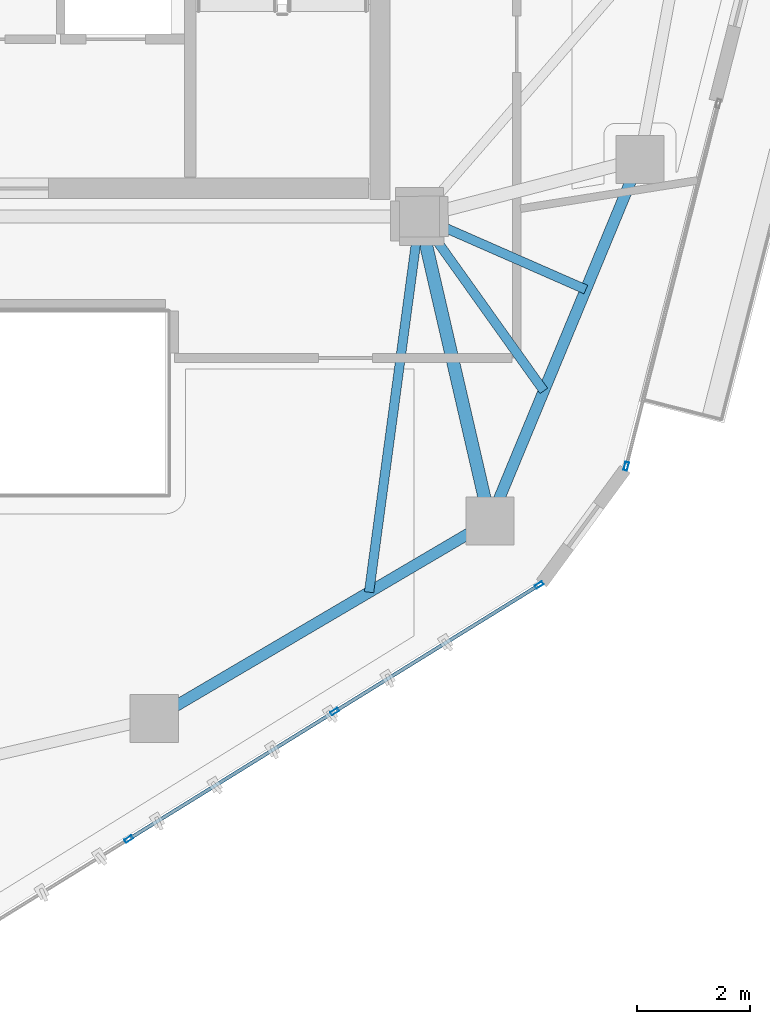
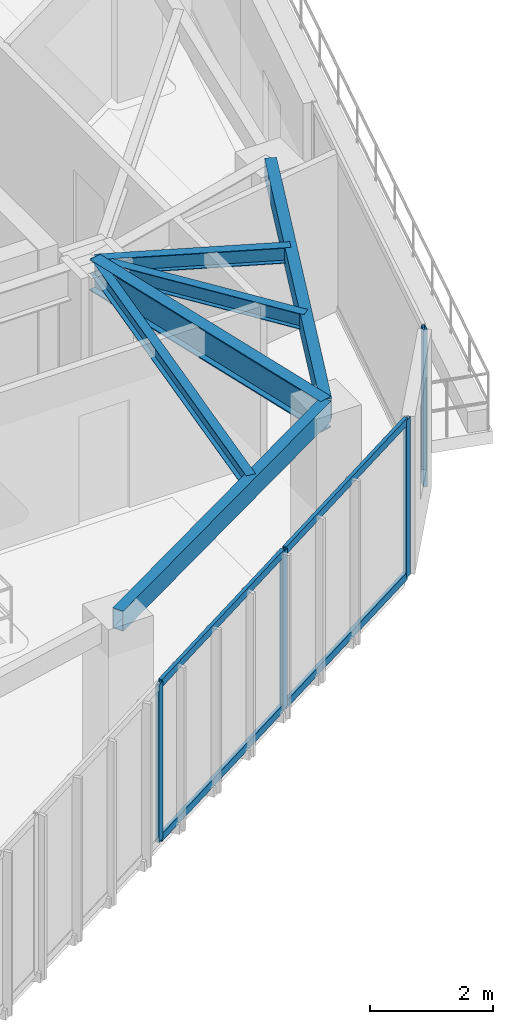
# One storey, part 6 of 20: 8 members, 6 beams, 2 elements without a shape of their own.
"""IFC4 building model written with IfcOpenShell, lengths in metres."""

from ifc_helpers import new_model, si_unit, direction, frame, origin, origin_2d, place, context, subcontext, project, spatial, hollow_rectangle, i_section, extrude, source, transform, mapped, material, layer, layer_set, material_profile, profile_set, type_object, type_shapes, element, aggregate, save


model = new_model("IFC4")

# Units and contexts
model_context = context("Model", 3, precision=1e-05, world=origin(), true_north=direction((0.0, 1.0)))
body_context = subcontext(model_context, "Body", "Model", "MODEL_VIEW")
ifc_project = project(units=[si_unit("LENGTHUNIT", "METRE"), si_unit("AREAUNIT", "SQUARE_METRE"), si_unit("VOLUMEUNIT", "CUBIC_METRE"), si_unit("PLANEANGLEUNIT", "RADIAN"), si_unit("MASSUNIT", "GRAM", prefix="KILO")], contexts=[model_context])

# Site, building, storey
site_placement = place(None, origin())
site = spatial("IfcSite", under=ifc_project, at=site_placement, CompositionType="ELEMENT")
building_placement = place(site_placement, origin())
building = spatial("IfcBuilding", under=site, at=building_placement, Name="Talar Marvaseh", CompositionType="ELEMENT")
storey_placement = place(building_placement, frame((0.0, 0.0, 251.0)))
storey = spatial("IfcBuildingStorey", under=building, at=storey_placement, Name="L66", CompositionType="ELEMENT", Elevation=251.0)

# Beams
ifc_material_1 = material(Name="Steel S355", Category="steel")
ifc_material_profile_1 = material_profile(ifc_material_1, hollow_rectangle(XDim=0.199951171875, YDim=0.39990234375, WallThickness=0.013916015625, at=origin_2d()), Name="RHS400x200x14")
ifc_profile_set_1 = profile_set([ifc_material_profile_1], Name="Steel S355")
beam_type_1 = type_object("IfcBeamType", Name="Zone 3 Perimeter Spandrel Beam RHS400x200x14", PredefinedType="SPANDREL", material=ifc_profile_set_1)
beam_1_placement = place(storey_placement, frame((37.197021484375, 26.513916015625, 2.93994140625), z_axis=(-0.382798740112, -0.923831762048, 0.0), x_axis=(0.923831762048, -0.382798740112, 0.0)))
element("IfcBeam", 1, at=beam_1_placement, inside=storey, type_object=beam_type_1, Name="L66 Zone 3 Perimeter Spandrel Beam RHS400x200x14", PredefinedType="SPANDREL", context=body_context, shape_type="SweptSolid", body=[
    extrude(hollow_rectangle(XDim=0.199951171875, YDim=0.39990234375, WallThickness=0.013916015625, at=origin_2d()), origin(), (0.0, 0.0, 1.0), 6.9306640625),
])
beam_2_placement = place(storey_placement, frame((34.5439453125, 20.111083984375, 2.93994140625), z_axis=(-0.861894136287, -0.507088254482, 0.0), x_axis=(0.507088254482, -0.861894136287, 0.0)))
element("IfcBeam", 2, at=beam_2_placement, inside=storey, type_object=beam_type_1, Name="L66 Zone 3 Perimeter Spandrel Beam RHS400x200x14", PredefinedType="SPANDREL", context=body_context, shape_type="SweptSolid", body=[
    extrude(hollow_rectangle(XDim=0.199951171875, YDim=0.39990234375, WallThickness=0.013916015625, at=origin_2d()), origin(), (0.0, 0.0, 1.0), 6.890625),
])
ifc_material_profile_2 = material_profile(ifc_material_1, i_section(OverallWidth=0.166015625, OverallDepth=0.31298828125, WebThickness=0.006591796875, FlangeThickness=0.01123046875, at=origin_2d()), Name="W310x45")
ifc_profile_set_2 = profile_set([ifc_material_profile_2], Name="Steel S355")
beam_type_2 = type_object("IfcBeamType", Name="Zone 3 Secondary Floor Joist W310x45", PredefinedType="JOIST", material=ifc_profile_set_2)
beam_3_placement = place(storey_placement, frame((36.241943359375, 24.208984375, 2.9833984375), z_axis=(-0.915706783714, 0.401847093135, 0.0), x_axis=(-0.401847093135, -0.915706783714, 0.0)))
element("IfcBeam", 3, at=beam_3_placement, inside=storey, type_object=beam_type_2, Name="L66 Zone 3 Secondary Floor Joist W310x45", PredefinedType="JOIST", context=body_context, shape_type="SweptSolid", body=[
    extrude(i_section(OverallWidth=0.166015625, OverallDepth=0.31298828125, WebThickness=0.006591796875, FlangeThickness=0.01123046875, at=origin_2d()), origin(), (0.0, 0.0, 1.0), 3.212646484375),
])
beam_4_placement = place(storey_placement, frame((35.4990234375, 22.416015625, 2.9833984375), z_axis=(-0.580561197682, 0.814216614757, 0.0), x_axis=(-0.814216614757, -0.580561197682, 0.0)))
element("IfcBeam", 4, at=beam_4_placement, inside=storey, type_object=beam_type_2, Name="L66 Zone 3 Secondary Floor Joist W310x45", PredefinedType="JOIST", context=body_context, shape_type="SweptSolid", body=[
    extrude(i_section(OverallWidth=0.166015625, OverallDepth=0.31298828125, WebThickness=0.006591796875, FlangeThickness=0.01123046875, at=origin_2d()), origin(), (0.0, 0.0, 1.0), 3.78759765625),
])
beam_5_placement = place(storey_placement, frame((32.406005859375, 18.853271484375, 2.9833984375), z_axis=(0.133308183872, 0.991074632968, 0.0), x_axis=(-0.991074632968, 0.133308183872, 0.0)))
element("IfcBeam", 5, at=beam_5_placement, inside=storey, type_object=beam_type_2, Name="L66 Zone 3 Secondary Floor Joist W310x45", PredefinedType="JOIST", context=body_context, shape_type="SweptSolid", body=[
    extrude(i_section(OverallWidth=0.166015625, OverallDepth=0.31298828125, WebThickness=0.006591796875, FlangeThickness=0.01123046875, at=origin_2d()), origin(), (0.0, 0.0, 1.0), 6.70654296875),
])
ifc_material_profile_3 = material_profile(ifc_material_1, i_section(OverallWidth=0.22998046875, OverallDepth=0.616943359375, WebThickness=0.01318359375, FlangeThickness=0.022216796875, at=origin_2d()), Name="W610x140")
ifc_profile_set_3 = profile_set([ifc_material_profile_3], Name="Steel S355")
beam_type_3 = type_object("IfcBeamType", Name="Zone 4 Radial Floor Girder W610x140", PredefinedType="BEAM", material=ifc_profile_set_3)
beam_6_placement = place(storey_placement, frame((34.5439453125, 20.111083984375, 2.83154296875), z_axis=(-0.22491108979, 0.974379290466, 0.0), x_axis=(-0.974379290466, -0.22491108979, 0.0)))
element("IfcBeam", 6, at=beam_6_placement, inside=storey, type_object=beam_type_3, Name="L66 Zone 4 Radial Floor Girder W610x140", PredefinedType="BEAM", context=body_context, shape_type="SweptSolid", body=[
    extrude(i_section(OverallWidth=0.22998046875, OverallDepth=0.616943359375, WebThickness=0.01318359375, FlangeThickness=0.022216796875, at=origin_2d()), origin(), (0.0, 0.0, 1.0), 5.530517578125),
])

# Curtain wall, member
ifc_material_2 = material(Name="Architectural Aluminium", Category="aluminium")
ifc_layer = layer(ifc_material_2, 0.179931640625)
ifc_layer_set = layer_set([ifc_layer], Name="Architectural Aluminium")
curtain_wall_type = type_object("IfcCurtainWallType", Name="Unitised High-Wind Sky Curtain Wall Z4", PredefinedType="NOTDEFINED", material=ifc_layer_set)
curtain_wall_1_placement = place(storey_placement, origin())
curtain_wall_1 = element("IfcCurtainWall", 7, at=curtain_wall_1_placement, inside=storey, type_object=curtain_wall_type, Name="L66 Unitised High-Wind Sky Curtain Wall Z4", PredefinedType="NOTDEFINED")
ifc_material_profile_4 = material_profile(ifc_material_2, hollow_rectangle(XDim=0.06494140625, YDim=0.14990234375, WallThickness=0.00390625, at=origin_2d()), Name="RHS150x65x4")
ifc_profile_set_4 = profile_set([ifc_material_profile_4], Name="Architectural Aluminium")
member_type_1 = type_object("IfcMemberType", Name="Unitised Curtain Wall Slim Mullion RHS150x65x4", PredefinedType="MULLION", material=ifc_profile_set_4)
shared_shape_1 = source(origin(), body_context, "Body", "SweptSolid", [
    extrude(hollow_rectangle(XDim=0.06494140625, YDim=0.14990234375, WallThickness=0.00390625, at=origin_2d()), origin(), (0.0, 0.0, 1.0), 3.139892578125),
])
type_shapes(member_type_1, [shared_shape_1])
member_1_placement = place(storey_placement, frame((36.956787109375, 21.0830078125, 0.0), z_axis=(0.0, 0.0, 1.0), x_axis=(0.969193888648, -0.246299017878, 0.0)))
member_1 = element("IfcMember", 8, at=member_1_placement, type_object=member_type_1, Name="CW-Z4 mullion 2", PredefinedType="MULLION", context=body_context, shape_type="MappedRepresentation", body=[
    mapped(shared_shape_1, transform((0.0, 0.0, 0.0), x_axis=(1.0, 0.0, 0.0), y_axis=(0.0, 1.0, 0.0), z_axis=(0.0, 0.0, 1.0), scale=1.0)),
])
aggregate(curtain_wall_1, [member_1])

# Curtain wall, members
curtain_wall_2_placement = place(storey_placement, origin())
curtain_wall_2 = element("IfcCurtainWall", 9, at=curtain_wall_2_placement, inside=storey, type_object=curtain_wall_type, Name="L66 Unitised High-Wind Sky Curtain Wall Z4", PredefinedType="NOTDEFINED")
member_2_placement = place(storey_placement, frame((35.414794921875, 18.97998046875, 0.0), z_axis=(0.0, 0.0, 1.0), x_axis=(0.526349795552, -0.850268129899, 0.0)))
member_2 = element("IfcMember", 10, at=member_2_placement, type_object=member_type_1, Name="CW-Z4 mullion 1", PredefinedType="MULLION", context=body_context, shape_type="MappedRepresentation", body=[
    mapped(shared_shape_1, transform((0.0, 0.0, 0.0), x_axis=(1.0, 0.0, 0.0), y_axis=(0.0, 1.0, 0.0), z_axis=(0.0, 0.0, 1.0), scale=1.0)),
])
member_3_placement = place(storey_placement, frame((31.798095703125, 16.7412109375, 0.0), z_axis=(0.0, 0.0, 1.0), x_axis=(0.526349795552, -0.850268129899, 0.0)))
member_3 = element("IfcMember", 11, at=member_3_placement, type_object=member_type_1, Name="CW-Z4 mullion 2", PredefinedType="MULLION", context=body_context, shape_type="MappedRepresentation", body=[
    mapped(shared_shape_1, transform((0.0, 0.0, 0.0), x_axis=(1.0, 0.0, 0.0), y_axis=(0.0, 1.0, 0.0), z_axis=(0.0, 0.0, 1.0), scale=1.0)),
])
member_4_placement = place(storey_placement, frame((28.153564453125, 14.485107421875, 0.0), z_axis=(0.0, 0.0, 1.0), x_axis=(0.526349795552, -0.850268129899, 0.0)))
member_4 = element("IfcMember", 12, at=member_4_placement, type_object=member_type_1, Name="CW-Z4 mullion 3", PredefinedType="MULLION", context=body_context, shape_type="MappedRepresentation", body=[
    mapped(shared_shape_1, transform((0.0, 0.0, 0.0), x_axis=(1.0, 0.0, 0.0), y_axis=(0.0, 1.0, 0.0), z_axis=(0.0, 0.0, 1.0), scale=1.0)),
])
ifc_material_profile_5 = material_profile(ifc_material_2, hollow_rectangle(XDim=0.06494140625, YDim=0.14990234375, WallThickness=0.00390625, at=origin_2d()), Name="RHS150x65x4")
ifc_profile_set_5 = profile_set([ifc_material_profile_5], Name="Architectural Aluminium")
member_type_2 = type_object("IfcMemberType", Name="Unitised Curtain Wall Slim Transom RHS150x65x4", PredefinedType="USERDEFINED", material=ifc_profile_set_5)
shared_shape_2 = source(origin(), body_context, "Body", "SweptSolid", [
    extrude(hollow_rectangle(XDim=0.06494140625, YDim=0.14990234375, WallThickness=0.00390625, at=origin_2d()), origin(), (0.0, 0.0, 1.0), 4.221435546875),
])
member_5_placement = place(storey_placement, frame((31.7705078125, 16.72412109375, 0.032470703125), z_axis=(-0.850271309239, -0.526344659596, 0.0), x_axis=(0.526344659596, -0.850271309239, 0.0)))
member_5 = element("IfcMember", 13, at=member_5_placement, type_object=member_type_2, Name="CW-Z4 transom 2.1", ObjectType="TRANSOM", PredefinedType="USERDEFINED", context=body_context, shape_type="MappedRepresentation", body=[
    mapped(shared_shape_2, transform((0.0, 0.0, 0.0), x_axis=(1.0, 0.0, 0.0), y_axis=(0.0, 1.0, 0.0), z_axis=(0.0, 0.0, 1.0), scale=1.0)),
])
member_6_placement = place(storey_placement, frame((31.7705078125, 16.72412109375, 3.107421875), z_axis=(-0.850271309239, -0.526344659596, 0.0), x_axis=(0.526344659596, -0.850271309239, 0.0)))
member_6 = element("IfcMember", 14, at=member_6_placement, type_object=member_type_2, Name="CW-Z4 transom 2.2", ObjectType="TRANSOM", PredefinedType="USERDEFINED", context=body_context, shape_type="MappedRepresentation", body=[
    mapped(shared_shape_2, transform((0.0, 0.0, 0.0), x_axis=(1.0, 0.0, 0.0), y_axis=(0.0, 1.0, 0.0), z_axis=(0.0, 0.0, 1.0), scale=1.0)),
])
shared_shape_3 = source(origin(), body_context, "Body", "SweptSolid", [
    extrude(hollow_rectangle(XDim=0.06494140625, YDim=0.14990234375, WallThickness=0.00390625, at=origin_2d()), origin(), (0.0, 0.0, 1.0), 4.188720703125),
])
type_shapes(member_type_2, [shared_shape_2, shared_shape_3])
member_7_placement = place(storey_placement, frame((35.38720703125, 18.962890625, 0.032470703125), z_axis=(-0.850282536603, -0.526326522178, 0.0), x_axis=(0.526326522178, -0.850282536603, 0.0)))
member_7 = element("IfcMember", 15, at=member_7_placement, type_object=member_type_2, Name="CW-Z4 transom 1.1", ObjectType="TRANSOM", PredefinedType="USERDEFINED", context=body_context, shape_type="MappedRepresentation", body=[
    mapped(shared_shape_3, transform((0.0, 0.0, 0.0), x_axis=(1.0, 0.0, 0.0), y_axis=(0.0, 1.0, 0.0), z_axis=(0.0, 0.0, 1.0), scale=1.0)),
])
member_8_placement = place(storey_placement, frame((35.38720703125, 18.962890625, 3.107421875), z_axis=(-0.850282536603, -0.526326522178, 0.0), x_axis=(0.526326522178, -0.850282536603, 0.0)))
member_8 = element("IfcMember", 16, at=member_8_placement, type_object=member_type_2, Name="CW-Z4 transom 1.2", ObjectType="TRANSOM", PredefinedType="USERDEFINED", context=body_context, shape_type="MappedRepresentation", body=[
    mapped(shared_shape_3, transform((0.0, 0.0, 0.0), x_axis=(1.0, 0.0, 0.0), y_axis=(0.0, 1.0, 0.0), z_axis=(0.0, 0.0, 1.0), scale=1.0)),
])
aggregate(curtain_wall_2, [member_2, member_3, member_4, member_7, member_8, member_5, member_6])

save(model, "model.ifc")
